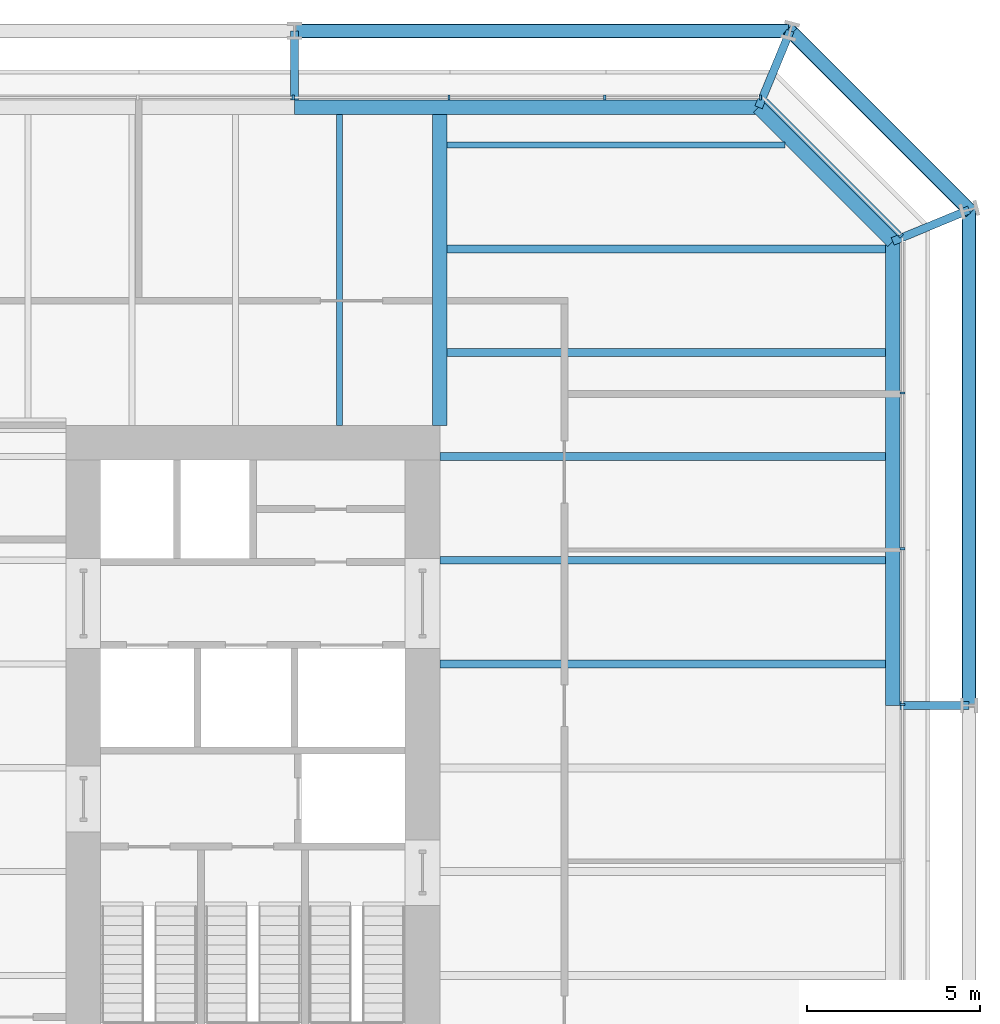
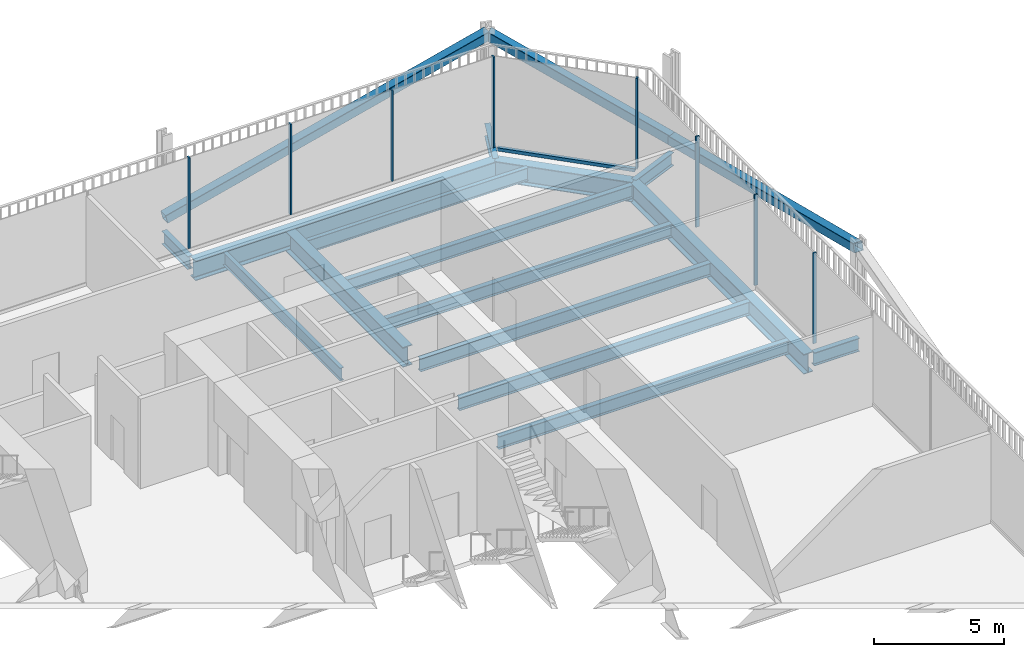
# One storey, part 15 of 21: 15 beams, 12 members, 3 elements without a shape of their own.
"""IFC4 building model written with IfcOpenShell, lengths in metres."""

import ifcopenshell
import ifcopenshell.guid

model = None  # the IFC model being written
_history = None  # IfcOwnerHistory: only IFC2X3 demands one
_inside = {}  # id of a spatial element -> (the spatial element, [elements in it])
_under = {}  # id of a project, library or spatial element -> (it, [spatial elements below it])
_declared = {}  # id of a project -> (the project, [libraries it declares])
_typed = {}  # id of a type object -> (the type object, [elements of that type])
_made_of = {}  # id of a material, layer set ... -> (it, [elements and type objects made of it])


def new_model(schema):
    """Start an empty IFC model of exactly this schema.

    Asked for "IFC4X3", IfcOpenShell would pick the latest addendum, in which some entities
    have other attributes; the version numbers below select the first issue.
    IFC2X3 requires an IfcOwnerHistory on every rooted entity: one is made here for all.
    """
    global model, _history
    if schema == "IFC4X3":
        model = ifcopenshell.file(schema_version=(4, 3, 0, 0))
    else:
        model = ifcopenshell.file(schema=schema)
    _inside.clear()
    _under.clear()
    _declared.clear()
    _typed.clear()
    _made_of.clear()
    _history = None
    if model.schema == "IFC2X3":
        org = make("IfcOrganization", Name="unknown")
        user = make(
            "IfcPersonAndOrganization",
            ThePerson=make("IfcPerson", FamilyName="unknown"),
            TheOrganization=org,
        )
        app = make(
            "IfcApplication",
            ApplicationDeveloper=org,
            Version="unknown",
            ApplicationFullName="unknown",
            ApplicationIdentifier="unknown",
        )
        _history = make(
            "IfcOwnerHistory",
            OwningUser=user,
            OwningApplication=app,
            ChangeAction="ADDED",
            CreationDate=0,
        )
    return model


def make(cls, **values):
    """One entity of the class cls with the attributes given. An attribute that is None is left unset."""
    return model.create_entity(
        cls, **{name: value for name, value in values.items() if value is not None}
    )


def rooted(cls, **values):
    """An entity with a GlobalId (a new one), such as an element, a storey or a relation."""
    return make(cls, GlobalId=ifcopenshell.guid.new(), OwnerHistory=_history, **values)


def si_unit(unit_type, name, prefix=None):
    """IfcSIUnit, for example si_unit("LENGTHUNIT", "METRE", prefix="MILLI")."""
    return make("IfcSIUnit", UnitType=unit_type, Prefix=prefix, Name=name)


def assignment(units):
    """IfcUnitAssignment: the units of a project."""
    return None if units is None else make("IfcUnitAssignment", Units=units)


def point(xyz):
    """IfcCartesianPoint."""
    return None if xyz is None else make("IfcCartesianPoint", Coordinates=xyz)


def direction(xyz):
    """IfcDirection."""
    return None if xyz is None else make("IfcDirection", DirectionRatios=xyz)


def frame(location, z_axis=None, x_axis=None):
    """IfcAxis2Placement3D, a coordinate frame: its origin and axes. An axis left out is left unset."""
    return make(
        "IfcAxis2Placement3D",
        Location=point(location),
        Axis=direction(z_axis),
        RefDirection=direction(x_axis),
    )


def frame_2d(location, x_axis=None):
    """IfcAxis2Placement2D, a coordinate frame in the plane: its origin and x axis."""
    return make(
        "IfcAxis2Placement2D", Location=point(location), RefDirection=direction(x_axis)
    )


def origin():
    """The frame at (0, 0, 0) with its axes left unset."""
    return frame((0.0, 0.0, 0.0))


def origin_2d():
    """The frame at (0, 0) in the plane with its x axis left unset."""
    return frame_2d((0.0, 0.0))


def place(relative_to, where):
    """IfcLocalPlacement: puts the frame where relative to a parent placement (None: the world)."""
    return make(
        "IfcLocalPlacement", PlacementRelTo=relative_to, RelativePlacement=where
    )


def context(
    kind, dimensions, precision=None, world=None, true_north=None, identifier=None
):
    """IfcGeometricRepresentationContext, for example the 3D "Model" context."""
    return make(
        "IfcGeometricRepresentationContext",
        ContextIdentifier=identifier,
        ContextType=kind,
        CoordinateSpaceDimension=dimensions,
        Precision=precision,
        WorldCoordinateSystem=world,
        TrueNorth=true_north,
    )


def subcontext(parent, identifier, kind, view, scale=None):
    """IfcGeometricRepresentationSubContext, for example "Body" below "Model"."""
    return make(
        "IfcGeometricRepresentationSubContext",
        ContextIdentifier=identifier,
        ContextType=kind,
        ParentContext=parent,
        TargetScale=scale,
        TargetView=view,
    )


def project(units=None, contexts=None):
    """IfcProject with its units and contexts."""
    return rooted(
        "IfcProject",
        Name="project",
        RepresentationContexts=contexts,
        UnitsInContext=assignment(units),
    )


def spatial(cls, under=None, at=None, **own):
    """A site, building, storey or space (cls), placed at a placement, below another one or the project."""
    s = rooted(cls, ObjectPlacement=at, **own)
    if under is not None:
        _under.setdefault(under.id(), (under, []))[1].append(s)
    return s


def profile(cls, at=None, kind="AREA", **sizes):
    """A parametric profile (cls). Its sizes go by their IFC names, for example OverallWidth=200.0."""
    return make(cls, ProfileType=kind, Position=at, **sizes)


def rectangle(**sizes):
    """IfcRectangleProfileDef."""
    return profile("IfcRectangleProfileDef", **sizes)


def hollow_rectangle(**sizes):
    """IfcRectangleHollowProfileDef."""
    return profile("IfcRectangleHollowProfileDef", **sizes)


def i_section(**sizes):
    """IfcIShapeProfileDef."""
    return profile("IfcIShapeProfileDef", **sizes)


def extrude(swept, where, along, depth):
    """IfcExtrudedAreaSolid: the profile swept, set in the frame where, extruded along a direction by depth."""
    return make(
        "IfcExtrudedAreaSolid",
        SweptArea=swept,
        Position=where,
        ExtrudedDirection=direction(along),
        Depth=depth,
    )


def shape(context_of_items, identifier, shape_type, items):
    """IfcShapeRepresentation: the items that make up one representation, for example the "Body"."""
    return make(
        "IfcShapeRepresentation",
        ContextOfItems=context_of_items,
        RepresentationIdentifier=identifier,
        RepresentationType=shape_type,
        Items=items,
    )


def material(Name=None, Category=None):
    """IfcMaterial."""
    return make("IfcMaterial", Name=Name, Category=Category)


def layer(
    of_material, thickness, ventilated=None, Name=None, Category=None, Priority=None
):
    """IfcMaterialLayer: one layer of a wall or slab, of a material (None: an air gap)."""
    return make(
        "IfcMaterialLayer",
        Material=of_material,
        LayerThickness=thickness,
        IsVentilated=ventilated,
        Name=Name,
        Category=Category,
        Priority=Priority,
    )


def layer_set(layers, Name=None):
    """IfcMaterialLayerSet."""
    return make("IfcMaterialLayerSet", MaterialLayers=layers, LayerSetName=Name)


def material_profile(
    of_material, cross_section, Name=None, Category=None, Priority=None
):
    """IfcMaterialProfile: a cross section and its material."""
    return make(
        "IfcMaterialProfile",
        Name=Name,
        Material=of_material,
        Profile=cross_section,
        Priority=Priority,
        Category=Category,
    )


def profile_set(profiles, Name=None, composite=None):
    """IfcMaterialProfileSet."""
    return make(
        "IfcMaterialProfileSet",
        Name=Name,
        MaterialProfiles=profiles,
        CompositeProfile=composite,
    )


def made_of(thing, what):
    """Note that an element or type object is made of a material, layer set ...; save() writes the relation."""
    if what is not None:
        _made_of.setdefault(what.id(), (what, []))[1].append(thing)
    return thing


def type_object(cls, material=None, **own):
    """A type object (cls), such as IfcWallType, which elements share."""
    return made_of(rooted(cls, **own), material)


def element(
    cls,
    number,
    at=None,
    inside=None,
    cuts=None,
    type_object=None,
    material=None,
    context=None,
    identifier="Body",
    shape_type=None,
    held_by="IfcProductDefinitionShape",
    body=None,
    shapes=None,
    **own,
):
    """One element of the class cls, such as IfcWall. Its Tag is "e" and its number.

    at: its placement. inside: the storey or other place that contains it. cuts: it is an
    opening in that element (IfcRelVoidsElement). A single representation is given by context,
    identifier, shape_type and body (its items); several are given by shapes. held_by: the class
    of the entity that holds the representations. save() writes the other relations.
    """
    e = rooted(cls, Tag="e%d" % number, ObjectPlacement=at, **own)
    if body is not None:
        shapes = [shape(context, identifier, shape_type, body)]
    if shapes is not None:
        e.Representation = make(held_by, Representations=shapes)
    if inside is not None:
        _inside.setdefault(inside.id(), (inside, []))[1].append(e)
    if cuts is not None:
        rooted(
            "IfcRelVoidsElement", RelatingBuildingElement=cuts, RelatedOpeningElement=e
        )
    if type_object is not None:
        _typed.setdefault(type_object.id(), (type_object, []))[1].append(e)
    return made_of(e, material)


def aggregate(whole, parts):
    """IfcRelAggregates: a whole, such as a stair, and the parts it consists of."""
    return rooted("IfcRelAggregates", RelatingObject=whole, RelatedObjects=parts)


def save(model, path):
    """Write the relations noted so far, then the file.

    IfcRelAggregates (storeys below a building ...), IfcRelContainedInSpatialStructure (elements
    in a storey), IfcRelDefinesByType, IfcRelAssociatesMaterial and IfcRelDeclares: one each for
    every whole, place, type object, material and project.
    """
    for whole, parts in _under.values():
        aggregate(whole, parts)
    for where, things in _inside.values():
        rooted(
            "IfcRelContainedInSpatialStructure",
            RelatedElements=things,
            RelatingStructure=where,
        )
    for kind, things in _typed.values():
        rooted("IfcRelDefinesByType", RelatedObjects=things, RelatingType=kind)
    for what, things in _made_of.values():
        rooted("IfcRelAssociatesMaterial", RelatedObjects=things, RelatingMaterial=what)
    for by, libraries in _declared.values():
        rooted("IfcRelDeclares", RelatingContext=by, RelatedDefinitions=libraries)
    model.write(path)


model = new_model("IFC4")

# Units and contexts
model_context = context("Model", 3, precision=1e-05, world=origin(), true_north=direction((0.0, 1.0)))
body_context = subcontext(model_context, "Body", "Model", "MODEL_VIEW")
ifc_project = project(units=[si_unit("LENGTHUNIT", "METRE"), si_unit("AREAUNIT", "SQUARE_METRE"), si_unit("VOLUMEUNIT", "CUBIC_METRE"), si_unit("PLANEANGLEUNIT", "RADIAN"), si_unit("MASSUNIT", "GRAM", prefix="KILO")], contexts=[model_context])

# Site, building, storey
site_placement = place(None, origin())
site = spatial("IfcSite", under=ifc_project, at=site_placement, CompositionType="ELEMENT")
building_placement = place(site_placement, origin())
building = spatial("IfcBuilding", under=site, at=building_placement, Name="Millrace Tower", CompositionType="ELEMENT")
storey_placement = place(building_placement, frame((0.0, 0.0, 90.800048828125)))
storey = spatial("IfcBuildingStorey", under=building, at=storey_placement, Name="L20", CompositionType="ELEMENT", Elevation=90.800048828125)

# Curtain wall, members
ifc_material_1 = material(Name="Aluminium and glass", Category="aluminium")
ifc_layer = layer(ifc_material_1, 0.14990234375)
ifc_layer_set = layer_set([ifc_layer], Name="Aluminium and glass")
curtain_wall_type = type_object("IfcCurtainWallType", Name="CW-3 telecom floor curtain wall", PredefinedType="NOTDEFINED", material=ifc_layer_set)
placement = place(storey_placement, origin())
curtain_wall_1 = element("IfcCurtainWall", 1, at=placement, inside=storey, type_object=curtain_wall_type, Name="Curtain wall B-F04 L20", PredefinedType="NOTDEFINED")
ifc_material_2 = material(Name="Aluminium", Category="aluminium")
ifc_material_profile_1 = material_profile(ifc_material_2, rectangle(XDim=0.06494140625, YDim=0.14990234375, at=origin_2d()))
ifc_profile_set_1 = profile_set([ifc_material_profile_1], Name="Aluminium")
member_type_1 = type_object("IfcMemberType", Name="CW-3 telecom floor curtain wall mullion", PredefinedType="MULLION", material=ifc_profile_set_1)
member_1_placement = place(storey_placement, frame((28.27490234375, 1.83251953125, 0.14990234375), z_axis=(0.0, 0.0, 1.0), x_axis=(0.0, 1.0, 0.0)))
member_1 = element("IfcMember", 2, at=member_1_placement, type_object=member_type_1, Name="CW3 mullion B-F04.7", PredefinedType="MULLION", context=body_context, shape_type="SweptSolid", body=[
    extrude(rectangle(XDim=0.06494140625, YDim=0.14990234375, at=origin_2d()), origin(), (0.0, 0.0, 1.0), 4.25),
])
member_2_placement = place(storey_placement, frame((28.27490234375, 6.33251953125, 0.14990234375), z_axis=(0.0, 0.0, 1.0), x_axis=(0.0, 1.0, 0.0)))
member_2 = element("IfcMember", 3, at=member_2_placement, type_object=member_type_1, Name="CW3 mullion B-F04.8", PredefinedType="MULLION", context=body_context, shape_type="SweptSolid", body=[
    extrude(rectangle(XDim=0.06494140625, YDim=0.14990234375, at=origin_2d()), origin(), (0.0, 0.0, 1.0), 4.25),
])
member_3_placement = place(storey_placement, frame((28.27490234375, 10.83251953125, 0.14990234375), z_axis=(0.0, 0.0, 1.0), x_axis=(0.0, 1.0, 0.0)))
member_3 = element("IfcMember", 4, at=member_3_placement, type_object=member_type_1, Name="CW3 mullion B-F04.9", PredefinedType="MULLION", context=body_context, shape_type="SweptSolid", body=[
    extrude(rectangle(XDim=0.06494140625, YDim=0.14990234375, at=origin_2d()), origin(), (0.0, 0.0, 1.0), 4.25),
])
aggregate(curtain_wall_1, [member_1, member_2, member_3])

# Curtain wall, member
curtain_wall_2 = element("IfcCurtainWall", 5, at=placement, inside=storey, type_object=curtain_wall_type, Name="Curtain wall B-F05 L20", PredefinedType="NOTDEFINED")
member_4_placement = place(storey_placement, frame((28.22998046875, 15.3759765625, 0.14990234375), z_axis=(0.0, 0.0, 1.0), x_axis=(-0.707106781187, 0.707106781187, 0.0)))
member_4 = element("IfcMember", 6, at=member_4_placement, type_object=member_type_1, Name="CW3 mullion B-F05.1", PredefinedType="MULLION", context=body_context, shape_type="SweptSolid", body=[
    extrude(rectangle(XDim=0.06494140625, YDim=0.14990234375, at=origin_2d()), origin(), (0.0, 0.0, 1.0), 4.25),
])

# Curtain wall, members
curtain_wall_3 = element("IfcCurtainWall", 7, at=placement, inside=storey, type_object=curtain_wall_type, Name="Curtain wall B-F06 L20", PredefinedType="NOTDEFINED")
member_5_placement = place(storey_placement, frame((24.16748046875, 19.375, 0.14990234375), z_axis=(0.0, 0.0, 1.0), x_axis=(-1.0, 0.0, 0.0)))
member_5 = element("IfcMember", 8, at=member_5_placement, type_object=member_type_1, Name="CW3 mullion B-F06.1", PredefinedType="MULLION", context=body_context, shape_type="SweptSolid", body=[
    extrude(rectangle(XDim=0.06494140625, YDim=0.14990234375, at=origin_2d()), origin(), (0.0, 0.0, 1.0), 4.25),
])
member_6_placement = place(storey_placement, frame((19.66748046875, 19.375, 0.14990234375), z_axis=(0.0, 0.0, 1.0), x_axis=(-1.0, 0.0, 0.0)))
member_6 = element("IfcMember", 9, at=member_6_placement, type_object=member_type_1, Name="CW3 mullion B-F06.2", PredefinedType="MULLION", context=body_context, shape_type="SweptSolid", body=[
    extrude(rectangle(XDim=0.06494140625, YDim=0.14990234375, at=origin_2d()), origin(), (0.0, 0.0, 1.0), 4.25),
])
member_7_placement = place(storey_placement, frame((15.16748046875, 19.375, 0.14990234375), z_axis=(0.0, 0.0, 1.0), x_axis=(-1.0, 0.0, 0.0)))
member_7 = element("IfcMember", 10, at=member_7_placement, type_object=member_type_1, Name="CW3 mullion B-F06.3", PredefinedType="MULLION", context=body_context, shape_type="SweptSolid", body=[
    extrude(rectangle(XDim=0.06494140625, YDim=0.14990234375, at=origin_2d()), origin(), (0.0, 0.0, 1.0), 4.25),
])
member_8_placement = place(storey_placement, frame((10.66748046875, 19.375, 0.14990234375), z_axis=(0.0, 0.0, 1.0), x_axis=(-1.0, 0.0, 0.0)))
member_8 = element("IfcMember", 11, at=member_8_placement, type_object=member_type_1, Name="CW3 mullion B-F06.4", PredefinedType="MULLION", context=body_context, shape_type="SweptSolid", body=[
    extrude(rectangle(XDim=0.06494140625, YDim=0.14990234375, at=origin_2d()), origin(), (0.0, 0.0, 1.0), 4.25),
])
aggregate(curtain_wall_3, [member_5, member_6, member_7, member_8])

# Member
ifc_material_3 = material(Name="Aluminium", Category="aluminium")
ifc_material_profile_2 = material_profile(ifc_material_3, rectangle(XDim=0.14990234375, YDim=0.14990234375, at=origin_2d()))
ifc_profile_set_2 = profile_set([ifc_material_profile_2], Name="Aluminium")
member_type_2 = type_object("IfcMemberType", Name="CW-3 telecom floor curtain wall transom", PredefinedType="USERDEFINED", material=ifc_profile_set_2)
member_9_placement = place(storey_placement, frame((28.182373046875, 15.423828125, 0.074951171875), z_axis=(-0.707129151258, 0.707084410407, 0.0), x_axis=(-0.707084410407, -0.707129151258, 0.0)))
member_9 = element("IfcMember", 12, at=member_9_placement, type_object=member_type_2, Name="CW3 transom B-F05.1", ObjectType="TRANSOM", PredefinedType="USERDEFINED", context=body_context, shape_type="SweptSolid", body=[
    extrude(rectangle(XDim=0.14990234375, YDim=0.14990234375, at=origin_2d()), origin(), (0.0, 0.0, 1.0), 5.456787109375),
])

aggregate(curtain_wall_2, [member_4, member_9])

# Members
ifc_material_4 = material(Name="Steel ASTM A500 Grade C", Category="steel")
ifc_material_profile_3 = material_profile(ifc_material_4, hollow_rectangle(XDim=0.406494140625, YDim=0.406494140625, WallThickness=0.015869140625, InnerFilletRadius=0.008056640625, OuterFilletRadius=0.02392578125, at=origin_2d()))
ifc_profile_set_3 = profile_set([ifc_material_profile_3], Name="Steel ASTM A500 Grade C")
member_type_3 = type_object("IfcMemberType", Name="Exoskeleton brace HSS16x16x5/8", PredefinedType="BRACE", material=ifc_profile_set_3)
member_10_placement = place(storey_placement, frame((30.199951171875, 16.12841796875, 0.39990234375), z_axis=(0.0, -0.969855058964, 0.243682507787), x_axis=(1.0, 0.0, 0.0)))
element("IfcMember", 13, at=member_10_placement, inside=storey, type_object=member_type_3, Name="BRC-B-L20-08", PredefinedType="BRACE", context=body_context, shape_type="SweptSolid", body=[
    extrude(hollow_rectangle(XDim=0.406494140625, YDim=0.406494140625, WallThickness=0.015869140625, InnerFilletRadius=0.008056640625, OuterFilletRadius=0.02392578125, at=origin_2d()), origin(), (0.0, 0.0, 1.0), 14.773681640625),
])
member_11_placement = place(storey_placement, frame((30.199951171875, 16.12841796875, 0.39990234375), z_axis=(-0.634413949017, 0.634413949017, 0.441630934816), x_axis=(-0.707106781187, -0.707106781187, 0.0)))
element("IfcMember", 14, at=member_11_placement, inside=storey, type_object=member_type_3, Name="BRC-B-L20-09", PredefinedType="BRACE", context=body_context, shape_type="SweptSolid", body=[
    extrude(hollow_rectangle(XDim=0.406494140625, YDim=0.406494140625, WallThickness=0.015869140625, InnerFilletRadius=0.008056640625, OuterFilletRadius=0.02392578125, at=origin_2d()), origin(), (0.0, 0.0, 1.0), 8.15185546875),
])
member_12_placement = place(storey_placement, frame((10.699951171875, 21.300048828125, 0.39990234375), z_axis=(0.969855058964, 0.0, 0.243682507787), x_axis=(0.0, 1.0, 0.0)))
element("IfcMember", 15, at=member_12_placement, inside=storey, type_object=member_type_3, Name="BRC-B-L20-10", PredefinedType="BRACE", context=body_context, shape_type="SweptSolid", body=[
    extrude(hollow_rectangle(XDim=0.406494140625, YDim=0.406494140625, WallThickness=0.015869140625, InnerFilletRadius=0.008056640625, OuterFilletRadius=0.02392578125, at=origin_2d()), origin(), (0.0, 0.0, 1.0), 14.773681640625),
])

# Beams
ifc_material_5 = material(Name="Steel ASTM A992 Grade 50", Category="steel")
ifc_material_profile_4 = material_profile(ifc_material_5, i_section(OverallWidth=0.177978515625, OverallDepth=0.599365234375, WebThickness=0.010009765625, FlangeThickness=0.012939453125, FilletRadius=0.012939453125, at=origin_2d()))
ifc_profile_set_4 = profile_set([ifc_material_profile_4], Name="Steel ASTM A992 Grade 50")
beam_type_1 = type_object("IfcBeamType", Name="Floor beam W24x55", PredefinedType="JOIST", material=ifc_profile_set_4)
beam_1_placement = place(storey_placement, frame((12.0, 9.89990234375, -0.499755859375), z_axis=(0.0, 1.0, 0.0), x_axis=(-1.0, 0.0, 0.0)))
element("IfcBeam", 16, at=beam_1_placement, inside=storey, type_object=beam_type_1, Name="BM-B-L20-S1-S056", PredefinedType="JOIST", context=body_context, shape_type="SweptSolid", body=[
    extrude(i_section(OverallWidth=0.177978515625, OverallDepth=0.599365234375, WebThickness=0.010009765625, FlangeThickness=0.012939453125, FilletRadius=0.012939453125, at=origin_2d()), origin(), (0.0, 0.0, 1.0), 8.98095703125),
])
beam_2_placement = place(storey_placement, frame((15.11083984375, 18.0, -0.499755859375), z_axis=(1.0, 0.0, 0.0), x_axis=(0.0, 1.0, 0.0)))
element("IfcBeam", 17, at=beam_2_placement, inside=storey, type_object=beam_type_1, Name="BM-B-L20-S1-S039", PredefinedType="JOIST", context=body_context, shape_type="SweptSolid", body=[
    extrude(i_section(OverallWidth=0.177978515625, OverallDepth=0.599365234375, WebThickness=0.010009765625, FlangeThickness=0.012939453125, FilletRadius=0.012939453125, at=origin_2d()), origin(), (0.0, 0.0, 1.0), 9.7724609375),
])
ifc_material_6 = material(Name="Steel ASTM A992 Grade 50", Category="steel")
ifc_material_profile_5 = material_profile(ifc_material_6, i_section(OverallWidth=0.228271484375, OverallDepth=0.607177734375, WebThickness=0.01123046875, FlangeThickness=0.017333984375, FilletRadius=0.0126953125, at=origin_2d()))
ifc_profile_set_5 = profile_set([ifc_material_profile_5], Name="Steel ASTM A992 Grade 50")
beam_type_2 = type_object("IfcBeamType", Name="Floor beam W24x76", PredefinedType="JOIST", material=ifc_profile_set_5)
for number, where, z_axis, x_axis, name in (
    (18, (14.89990234375, 3.0, -0.503662109375), (1.0, 0.0, 0.0), (0.0, 1.0, 0.0), "BM-B-L20-S1-S027"),
    (19, (14.89990234375, 6.0, -0.503662109375), (1.0, 0.0, 0.0), (0.0, 1.0, 0.0), "BM-B-L20-S1-S030"),
    (20, (14.89990234375, 9.0, -0.503662109375), (1.0, 0.0, 0.0), (0.0, 1.0, 0.0), "BM-B-L20-S1-S033"),
):
    element("IfcBeam", number, at=place(storey_placement, frame(where, z_axis=z_axis, x_axis=x_axis)), inside=storey, type_object=beam_type_2, Name=name, PredefinedType="JOIST", context=body_context, shape_type="SweptSolid", body=[
        extrude(i_section(OverallWidth=0.228271484375, OverallDepth=0.607177734375, WebThickness=0.01123046875, FlangeThickness=0.017333984375, FilletRadius=0.0126953125, at=origin_2d()), origin(), (0.0, 0.0, 1.0), 12.881103515625),
    ])
for number, where, z_axis, x_axis, name in (
    (21, (15.11083984375, 12.0, -0.503662109375), (1.0, 0.0, 0.0), (0.0, 1.0, 0.0), "BM-B-L20-S1-S035"),
    (22, (15.11083984375, 15.0, -0.503662109375), (1.0, 0.0, 0.0), (0.0, 1.0, 0.0), "BM-B-L20-S1-S037"),
):
    element("IfcBeam", number, at=place(storey_placement, frame(where, z_axis=z_axis, x_axis=x_axis)), inside=storey, type_object=beam_type_2, Name=name, PredefinedType="JOIST", context=body_context, shape_type="SweptSolid", body=[
        extrude(i_section(OverallWidth=0.228271484375, OverallDepth=0.607177734375, WebThickness=0.01123046875, FlangeThickness=0.017333984375, FilletRadius=0.0126953125, at=origin_2d()), origin(), (0.0, 0.0, 1.0), 12.670166015625),
    ])
ifc_material_7 = material(Name="Steel ASTM A992 Grade 50", Category="steel")
ifc_material_profile_6 = material_profile(ifc_material_7, i_section(OverallWidth=0.421630859375, OverallDepth=0.937255859375, WebThickness=0.021240234375, FlangeThickness=0.03662109375, FilletRadius=0.024169921875, at=origin_2d()))
ifc_profile_set_6 = profile_set([ifc_material_profile_6], Name="Steel ASTM A992 Grade 50")
beam_type_3 = type_object("IfcBeamType", Name="Girder short span W36x262", PredefinedType="BEAM", material=ifc_profile_set_6)
beam_3_placement = place(storey_placement, frame((14.89990234375, 9.89990234375, -0.668701171875), z_axis=(0.0, 1.0, 0.0), x_axis=(-1.0, 0.0, 0.0)))
element("IfcBeam", 23, at=beam_3_placement, inside=storey, type_object=beam_type_3, Name="BM-B-L20-S1-G060", PredefinedType="BEAM", context=body_context, shape_type="SweptSolid", body=[
    extrude(i_section(OverallWidth=0.421630859375, OverallDepth=0.937255859375, WebThickness=0.021240234375, FlangeThickness=0.03662109375, FilletRadius=0.024169921875, at=origin_2d()), origin(), (0.0, 0.0, 1.0), 8.98095703125),
])
ifc_material_8 = material(Name="Steel ASTM A992 Grade 50", Category="steel")
ifc_material_profile_7 = material_profile(ifc_material_8, i_section(OverallWidth=0.23046875, OverallDepth=0.6171875, WebThickness=0.01318359375, FlangeThickness=0.022216796875, FilletRadius=0.012939453125, at=origin_2d()))
ifc_profile_set_7 = profile_set([ifc_material_profile_7], Name="Steel ASTM A992 Grade 50")
beam_type_4 = type_object("IfcBeamType", Name="Link beam W24x94", PredefinedType="BEAM", material=ifc_profile_set_7)
beam_4_placement = place(storey_placement, frame((10.699951171875, 19.300048828125, -0.508544921875), z_axis=(0.0, 1.0, 0.0), x_axis=(-1.0, 0.0, 0.0)))
element("IfcBeam", 24, at=beam_4_placement, inside=storey, type_object=beam_type_4, Name="LNK-B-L20-S1-07", PredefinedType="BEAM", context=body_context, shape_type="SweptSolid", body=[
    extrude(i_section(OverallWidth=0.23046875, OverallDepth=0.6171875, WebThickness=0.01318359375, FlangeThickness=0.022216796875, FilletRadius=0.012939453125, at=origin_2d()), origin(), (0.0, 0.0, 1.0), 2.0),
])
for number, where, z_axis, x_axis, name in (
    (25, (24.11328125, 19.09033203125, -0.508544921875), (0.382592209583, 0.923917312949, 0.0), (-0.923917312949, 0.382592209583, 0.0), "LNK-B-L20-S1-08"),
    (26, (27.990478515625, 15.213134765625, -0.508544921875), (0.92386627665, 0.382715433277, 0.0), (-0.382715433277, 0.92386627665, 0.0), "LNK-B-L20-S1-09"),
):
    element("IfcBeam", number, at=place(storey_placement, frame(where, z_axis=z_axis, x_axis=x_axis)), inside=storey, type_object=beam_type_4, Name=name, PredefinedType="BEAM", context=body_context, shape_type="SweptSolid", body=[
        extrude(i_section(OverallWidth=0.23046875, OverallDepth=0.6171875, WebThickness=0.01318359375, FlangeThickness=0.022216796875, FilletRadius=0.012939453125, at=origin_2d()), origin(), (0.0, 0.0, 1.0), 2.3916015625),
    ])
beam_5_placement = place(storey_placement, frame((28.199951171875, 1.800048828125, -0.508544921875), z_axis=(1.0, 0.0, 0.0), x_axis=(0.0, 1.0, 0.0)))
element("IfcBeam", 27, at=beam_5_placement, inside=storey, type_object=beam_type_4, Name="LNK-B-L20-S1-10", PredefinedType="BEAM", context=body_context, shape_type="SweptSolid", body=[
    extrude(i_section(OverallWidth=0.23046875, OverallDepth=0.6171875, WebThickness=0.01318359375, FlangeThickness=0.022216796875, FilletRadius=0.012939453125, at=origin_2d()), origin(), (0.0, 0.0, 1.0), 2.0),
])
ifc_material_9 = material(Name="Steel ASTM A992 Grade 50", Category="steel")
ifc_material_profile_8 = material_profile(ifc_material_9, i_section(OverallWidth=0.419189453125, OverallDepth=0.927001953125, WebThickness=0.019287109375, FlangeThickness=0.031982421875, FilletRadius=0.024169921875, at=origin_2d()))
ifc_profile_set_8 = profile_set([ifc_material_profile_8], Name="Steel ASTM A992 Grade 50")
beam_type_5 = type_object("IfcBeamType", Name="Ring beam medium span W36x231", PredefinedType="SPANDREL", material=ifc_profile_set_8)
beam_6_placement = place(storey_placement, frame((10.699951171875, 19.09033203125, -0.66357421875), z_axis=(1.0, 0.0, 0.0), x_axis=(0.0, 1.0, 0.0)))
element("IfcBeam", 28, at=beam_6_placement, inside=storey, type_object=beam_type_5, Name="RNG-B-L20-S1-07", PredefinedType="SPANDREL", context=body_context, shape_type="SweptSolid", body=[
    extrude(i_section(OverallWidth=0.419189453125, OverallDepth=0.927001953125, WebThickness=0.019287109375, FlangeThickness=0.031982421875, FilletRadius=0.024169921875, at=origin_2d()), origin(), (0.0, 0.0, 1.0), 13.413330078125),
])
beam_7_placement = place(storey_placement, frame((27.990478515625, 15.213134765625, -0.66357421875), z_axis=(0.0, -1.0, 0.0), x_axis=(1.0, 0.0, 0.0)))
element("IfcBeam", 29, at=beam_7_placement, inside=storey, type_object=beam_type_5, Name="RNG-B-L20-S1-09", PredefinedType="SPANDREL", context=body_context, shape_type="SweptSolid", body=[
    extrude(i_section(OverallWidth=0.419189453125, OverallDepth=0.927001953125, WebThickness=0.019287109375, FlangeThickness=0.031982421875, FilletRadius=0.024169921875, at=origin_2d()), origin(), (0.0, 0.0, 1.0), 13.4130859375),
])
ifc_material_10 = material(Name="Steel ASTM A992 Grade 50", Category="steel")
ifc_material_profile_9 = material_profile(ifc_material_10, i_section(OverallWidth=0.419189453125, OverallDepth=0.927001953125, WebThickness=0.019287109375, FlangeThickness=0.031982421875, FilletRadius=0.024169921875, at=origin_2d()))
ifc_profile_set_9 = profile_set([ifc_material_profile_9], Name="Steel ASTM A992 Grade 50")
beam_type_6 = type_object("IfcBeamType", Name="Ring beam short span W36x231", PredefinedType="SPANDREL", material=ifc_profile_set_9)
beam_8_placement = place(storey_placement, frame((24.11328125, 19.09033203125, -0.66357421875), z_axis=(0.707106781187, -0.707106781187, 0.0), x_axis=(0.707106781187, 0.707106781187, 0.0)))
element("IfcBeam", 30, at=beam_8_placement, inside=storey, type_object=beam_type_6, Name="RNG-B-L20-S1-08", PredefinedType="SPANDREL", context=body_context, shape_type="SweptSolid", body=[
    extrude(i_section(OverallWidth=0.419189453125, OverallDepth=0.927001953125, WebThickness=0.019287109375, FlangeThickness=0.031982421875, FilletRadius=0.024169921875, at=origin_2d()), origin(), (0.0, 0.0, 1.0), 5.483154296875),
])

save(model, "model.ifc")
